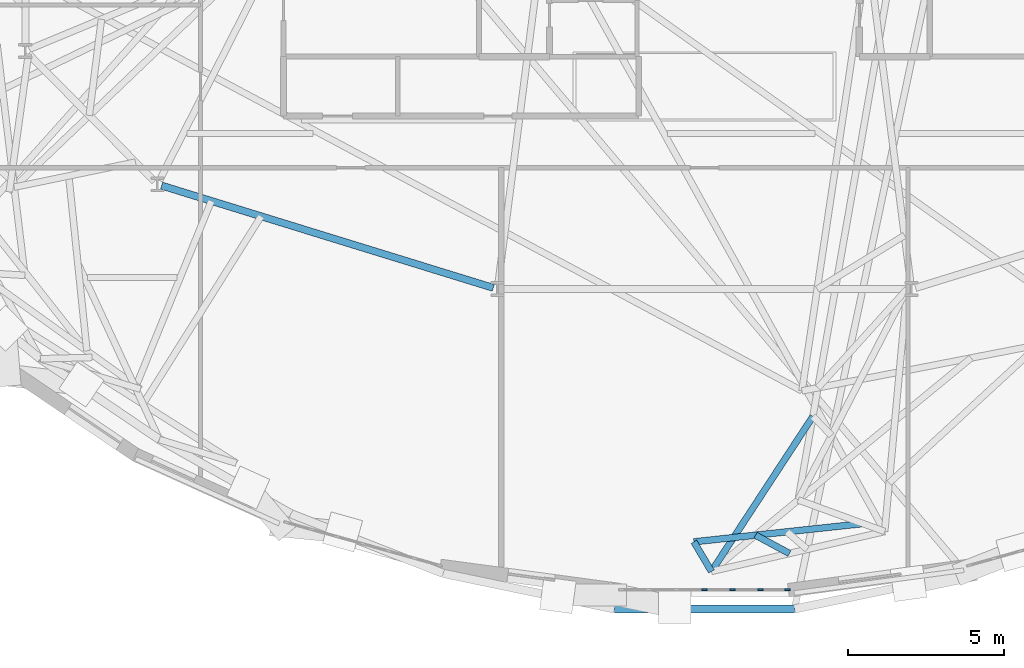
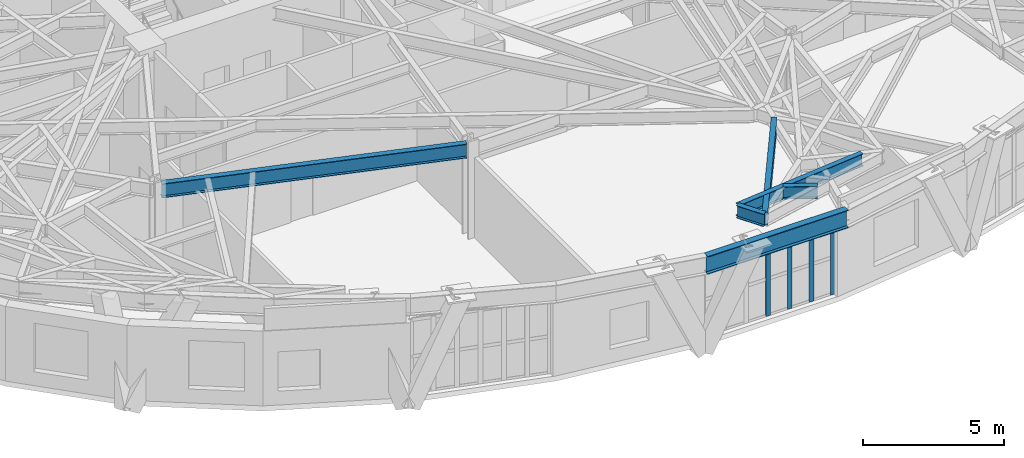
# One storey, part 3 of 20: 6 beams, 4 members, 1 element without a shape of its own.
"""IFC4 building model written with IfcOpenShell, lengths in metres."""

from ifc_helpers import new_model, si_unit, direction, frame, origin, origin_2d, place, context, subcontext, project, spatial, rectangle, i_section, extrude, material, layer, layer_set, material_profile, profile_set, type_object, element, aggregate, save


model = new_model("IFC4")

# Units and contexts
model_context = context("Model", 3, precision=1e-05, world=origin(), true_north=direction((0.0, 1.0)))
body_context = subcontext(model_context, "Body", "Model", "MODEL_VIEW")
ifc_project = project(units=[si_unit("LENGTHUNIT", "METRE"), si_unit("AREAUNIT", "SQUARE_METRE"), si_unit("VOLUMEUNIT", "CUBIC_METRE"), si_unit("PLANEANGLEUNIT", "RADIAN"), si_unit("MASSUNIT", "GRAM", prefix="KILO")], contexts=[model_context])

# Site, building, storey
site_placement = place(None, origin())
site = spatial("IfcSite", under=ifc_project, at=site_placement, CompositionType="ELEMENT")
building_placement = place(site_placement, origin())
building = spatial("IfcBuilding", under=site, at=building_placement, Name="Keldmark Tower", CompositionType="ELEMENT")
storey_placement = place(building_placement, frame((0.0, 0.0, 81.89990234375)))
storey = spatial("IfcBuildingStorey", under=building, at=storey_placement, Name="L21", CompositionType="ELEMENT", Elevation=81.89990234375)

# Curtain wall, members
ifc_material_1 = material(Name="Unitized Thermally Broken Aluminum and Triple Low-E Glazing", Category="aluminium")
ifc_layer = layer(ifc_material_1, 0.219970703125)
ifc_layer_set = layer_set([ifc_layer], Name="Unitized Thermally Broken Aluminum and Triple Low-E Glazing")
curtain_wall_type = type_object("IfcCurtainWallType", Name="Sky Lobby Amenity Curtain Wall System", PredefinedType="NOTDEFINED", material=ifc_layer_set)
curtain_wall_placement = place(storey_placement, origin())
curtain_wall = element("IfcCurtainWall", 1, at=curtain_wall_placement, inside=storey, type_object=curtain_wall_type, Name="L21 Sky Lobby Amenity Curtain Wall System CW-L21-24", PredefinedType="NOTDEFINED")
ifc_material_2 = material(Name="Extruded Aluminum Alloy 6063-T6", Category="aluminium")
ifc_material_profile_1 = material_profile(ifc_material_2, rectangle(XDim=0.06005859375, YDim=0.179931640625, at=origin_2d()), Name="CWM60X180")
ifc_profile_set_1 = profile_set([ifc_material_profile_1], Name="Extruded Aluminum Alloy 6063-T6")
member_type = type_object("IfcMemberType", Name="Curtain Wall Structural Mullion 60x180", PredefinedType="MULLION", material=ifc_profile_set_1)
member_1_placement = place(storey_placement, frame((2.65283203125, -19.18603515625, 0.0), z_axis=(0.0, 0.0, 1.0), x_axis=(0.0, -1.0, 0.0)))
member_1 = element("IfcMember", 2, at=member_1_placement, type_object=member_type, Name="CW mullion 1", PredefinedType="MULLION", context=body_context, shape_type="SweptSolid", body=[
    extrude(rectangle(XDim=0.06005859375, YDim=0.179931640625, at=origin_2d()), origin(), (0.0, 0.0, 1.0), 3.22802734375),
])
member_2_placement = place(storey_placement, frame((1.78857421875, -19.18603515625, 0.0), z_axis=(0.0, 0.0, 1.0), x_axis=(0.0, -1.0, 0.0)))
member_2 = element("IfcMember", 3, at=member_2_placement, type_object=member_type, Name="CW mullion 2", PredefinedType="MULLION", context=body_context, shape_type="SweptSolid", body=[
    extrude(rectangle(XDim=0.06005859375, YDim=0.179931640625, at=origin_2d()), origin(), (0.0, 0.0, 1.0), 3.22802734375),
])
member_3_placement = place(storey_placement, frame((0.894287109375, -19.18603515625, 0.0), z_axis=(0.0, 0.0, 1.0), x_axis=(0.0, -1.0, 0.0)))
member_3 = element("IfcMember", 4, at=member_3_placement, type_object=member_type, Name="CW mullion 3", PredefinedType="MULLION", context=body_context, shape_type="SweptSolid", body=[
    extrude(rectangle(XDim=0.06005859375, YDim=0.179931640625, at=origin_2d()), origin(), (0.0, 0.0, 1.0), 3.22802734375),
])
member_4_placement = place(storey_placement, frame((0.0, -19.18603515625, 0.0), z_axis=(0.0, 0.0, 1.0), x_axis=(0.0, -1.0, 0.0)))
member_4 = element("IfcMember", 5, at=member_4_placement, type_object=member_type, Name="CW mullion 4", PredefinedType="MULLION", context=body_context, shape_type="SweptSolid", body=[
    extrude(rectangle(XDim=0.06005859375, YDim=0.179931640625, at=origin_2d()), origin(), (0.0, 0.0, 1.0), 3.22802734375),
])
aggregate(curtain_wall, [member_1, member_2, member_3, member_4])

# Beams
ifc_material_3 = material(Name="Steel ASTM A992 Grade 50", Category="steel")
ifc_material_profile_2 = material_profile(ifc_material_3, i_section(OverallWidth=0.22900390625, OverallDepth=0.612060546875, WebThickness=0.011962890625, FlangeThickness=0.01953125, at=origin_2d()), Name="W24X84")
ifc_profile_set_2 = profile_set([ifc_material_profile_2], Name="Steel ASTM A992 Grade 50")
beam_type_1 = type_object("IfcBeamType", Name="Primary Floor Girder W24X84", PredefinedType="BEAM", material=ifc_profile_set_2)
beam_1_placement = place(storey_placement, frame((-17.343505859375, -6.270751953125, 3.7041015625), z_axis=(0.955607954968, -0.294641199432, 0.0), x_axis=(0.294641199432, 0.955607954968, 0.0)))
element("IfcBeam", 6, at=beam_1_placement, inside=storey, type_object=beam_type_1, Name="L21 Floor Ring Girder FG-R08", PredefinedType="BEAM", context=body_context, shape_type="SweptSolid", body=[
    extrude(i_section(OverallWidth=0.22900390625, OverallDepth=0.612060546875, WebThickness=0.011962890625, FlangeThickness=0.01953125, at=origin_2d()), origin(), (0.0, 0.0, 1.0), 11.089111328125),
])
ifc_material_4 = material(Name="Steel ASTM A992 Grade 50", Category="steel")
ifc_material_profile_3 = material_profile(ifc_material_4, i_section(OverallWidth=0.2099609375, OverallDepth=0.537109375, WebThickness=0.010986328125, FlangeThickness=0.017333984375, at=origin_2d()), Name="W21X68")
ifc_profile_set_3 = profile_set([ifc_material_profile_3], Name="Steel ASTM A992 Grade 50")
beam_type_2 = type_object("IfcBeamType", Name="Radial Tie Girder W21X68", PredefinedType="BEAM", material=ifc_profile_set_3)
beam_2_placement = place(storey_placement, frame((2.714599609375, -18.02392578125, 3.74169921875), z_axis=(-0.880101168882, 0.474786196654, 0.0), x_axis=(-0.474786196654, -0.880101168882, 0.0)))
element("IfcBeam", 7, at=beam_2_placement, inside=storey, type_object=beam_type_2, Name="L21 Framing Pin Header PH-045", PredefinedType="BEAM", context=body_context, shape_type="SweptSolid", body=[
    extrude(i_section(OverallWidth=0.2099609375, OverallDepth=0.537109375, WebThickness=0.010986328125, FlangeThickness=0.017333984375, at=origin_2d()), origin(), (0.0, 0.0, 1.0), 1.22998046875),
])
beam_3_placement = place(storey_placement, frame((5.068115234375, -17.0703125, 3.74169921875), z_axis=(-0.994263195187, -0.106961201831, 0.0), x_axis=(0.106961201831, -0.994263195187, 0.0)))
element("IfcBeam", 8, at=beam_3_placement, inside=storey, type_object=beam_type_2, Name="L21 Crown Step Radial Girder RT-24RN2", PredefinedType="BEAM", context=body_context, shape_type="SweptSolid", body=[
    extrude(i_section(OverallWidth=0.2099609375, OverallDepth=0.537109375, WebThickness=0.010986328125, FlangeThickness=0.017333984375, at=origin_2d()), origin(), (0.0, 0.0, 1.0), 5.43701171875),
])
beam_4_placement = place(storey_placement, frame((-0.337646484375, -17.65185546875, 3.74169921875), z_axis=(0.510246433238, -0.860028242192, 0.0), x_axis=(0.860028242192, 0.510246433238, 0.0)))
element("IfcBeam", 9, at=beam_4_placement, inside=storey, type_object=beam_type_2, Name="L21 Crown Step Collector Chord RT-24RP2", PredefinedType="BEAM", context=body_context, shape_type="SweptSolid", body=[
    extrude(i_section(OverallWidth=0.2099609375, OverallDepth=0.537109375, WebThickness=0.010986328125, FlangeThickness=0.017333984375, at=origin_2d()), origin(), (0.0, 0.0, 1.0), 1.10009765625),
])
beam_5_placement = place(storey_placement, frame((0.2236328125, -18.597900390625, 3.74169921875), z_axis=(0.547627148988, 0.836722478299, 0.0), x_axis=(-0.836722478299, 0.547627148988, 0.0)))
element("IfcBeam", 10, at=beam_5_placement, inside=storey, type_object=beam_type_2, Name="L21 Straddling Support Chord RT-25RB", PredefinedType="BEAM", context=body_context, shape_type="SweptSolid", body=[
    extrude(i_section(OverallWidth=0.2099609375, OverallDepth=0.537109375, WebThickness=0.010986328125, FlangeThickness=0.017333984375, at=origin_2d()), origin(), (0.0, 0.0, 1.0), 5.919189453125),
])
ifc_material_5 = material(Name="Steel ASTM A992 Grade 50", Category="steel")
ifc_material_profile_4 = material_profile(ifc_material_5, i_section(OverallWidth=0.26806640625, OverallDepth=0.77001953125, WebThickness=0.015625, FlangeThickness=0.025390625, at=origin_2d()), Name="W30X132")
ifc_profile_set_4 = profile_set([ifc_material_profile_4], Name="Steel ASTM A992 Grade 50")
beam_type_3 = type_object("IfcBeamType", Name="Spandrel Ring Beam W30X132", PredefinedType="SPANDREL", material=ifc_profile_set_4)
beam_6_placement = place(storey_placement, frame((-2.876708984375, -19.797607421875, 3.625), z_axis=(1.0, 0.0, 0.0), x_axis=(0.0, 1.0, 0.0)))
element("IfcBeam", 11, at=beam_6_placement, inside=storey, type_object=beam_type_3, Name="L21 Perimeter Spandrel Ring Beam SRB-24", PredefinedType="SPANDREL", context=body_context, shape_type="SweptSolid", body=[
    extrude(i_section(OverallWidth=0.26806640625, OverallDepth=0.77001953125, WebThickness=0.015625, FlangeThickness=0.025390625, at=origin_2d()), origin(), (0.0, 0.0, 1.0), 5.75341796875),
])

save(model, "model.ifc")
